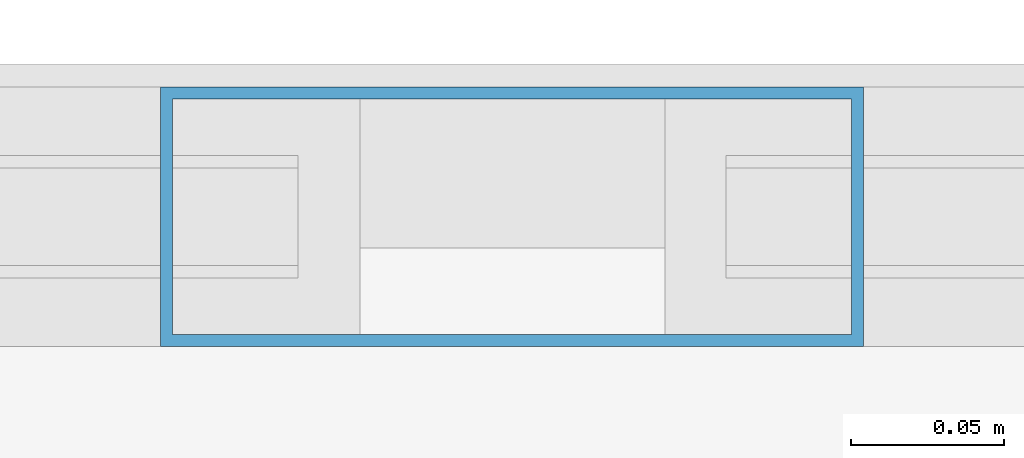
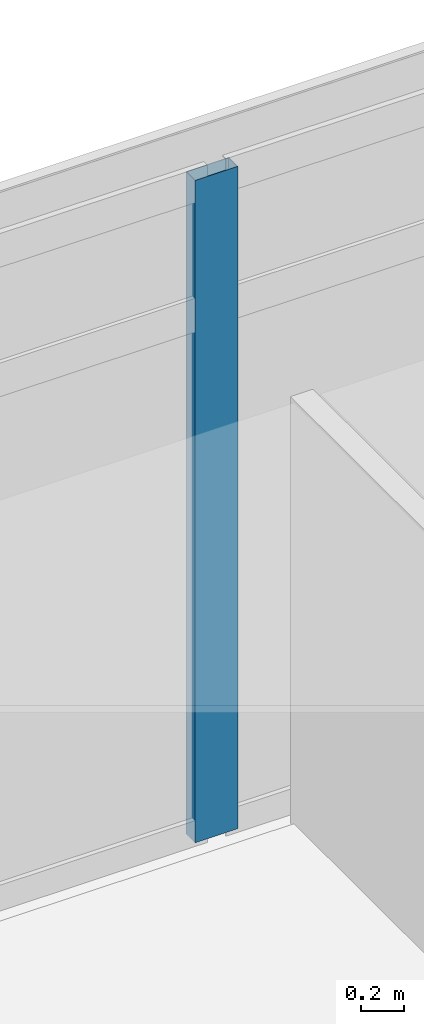
# One storey, part 8 of 21: 1 member, 1 element without a shape of its own.
"""IFC4 building model written with IfcOpenShell, lengths in metres."""

from ifc_helpers import new_model, si_unit, direction, frame, origin, origin_2d, place, context, subcontext, project, spatial, hollow_rectangle, extrude, material, material_profile, profile_set, type_object, element, aggregate, save


model = new_model("IFC4")

# Units and contexts
model_context = context("Model", 3, precision=1e-05, world=origin(), true_north=direction((0.0, 1.0)))
body_context = subcontext(model_context, "Body", "Model", "MODEL_VIEW")
ifc_project = project(units=[si_unit("LENGTHUNIT", "METRE"), si_unit("AREAUNIT", "SQUARE_METRE"), si_unit("VOLUMEUNIT", "CUBIC_METRE"), si_unit("PLANEANGLEUNIT", "RADIAN"), si_unit("MASSUNIT", "GRAM", prefix="KILO")], contexts=[model_context])

# Site, building, storey
site_placement = place(None, origin())
site = spatial("IfcSite", under=ifc_project, at=site_placement, CompositionType="ELEMENT")
building_placement = place(site_placement, origin())
building = spatial("IfcBuilding", under=site, at=building_placement, Name="Kovane Verandah Tower", CompositionType="ELEMENT")
storey_placement = place(building_placement, frame((0.0, 0.0, 172.39990234375)))
storey = spatial("IfcBuildingStorey", under=building, at=storey_placement, Name="L40", CompositionType="ELEMENT", Elevation=172.39990234375)

# Curtain wall, member
ifc_material_1 = material(Name="Champagne Anodised Aluminium Frame with Low-E Clear Laminated Glass", Category="aluminium")
curtain_wall_type = type_object("IfcCurtainWallType", Name="CW-SYS-03-MID", PredefinedType="NOTDEFINED", material=ifc_material_1)
curtain_wall_placement = place(storey_placement, origin())
curtain_wall = element("IfcCurtainWall", 1, at=curtain_wall_placement, inside=storey, type_object=curtain_wall_type, Name="L40 N Unitised Curtain Wall-2", PredefinedType="NOTDEFINED")
ifc_material_2 = material(Name="Champagne Anodised Aluminium 6063-T6", Category="aluminium")
ifc_material_profile = material_profile(ifc_material_2, hollow_rectangle(XDim=0.0849609375, YDim=0.22998046875, WallThickness=0.00390625, at=origin_2d()), Name="AL85x230x4")
ifc_profile_set = profile_set([ifc_material_profile], Name="Champagne Anodised Aluminium 6063-T6")
member_type = type_object("IfcMemberType", Name="CW-MUL-85x230", PredefinedType="MULLION", material=ifc_profile_set)
member_placement = place(storey_placement, frame((36.506591796875, 49.289306640625, 0.02001953125), z_axis=(0.0, 0.0, 1.0), x_axis=(0.0, 1.0, 0.0)))
member = element("IfcMember", 2, at=member_placement, type_object=member_type, Name="L40 N Unitised Curtain Wall-2 Mullion 3", PredefinedType="MULLION", context=body_context, shape_type="SweptSolid", body=[
    extrude(hollow_rectangle(XDim=0.0849609375, YDim=0.22998046875, WallThickness=0.00390625, at=origin_2d()), origin(), (0.0, 0.0, 1.0), 3.735107421875),
])
aggregate(curtain_wall, [member])

save(model, "model.ifc")
